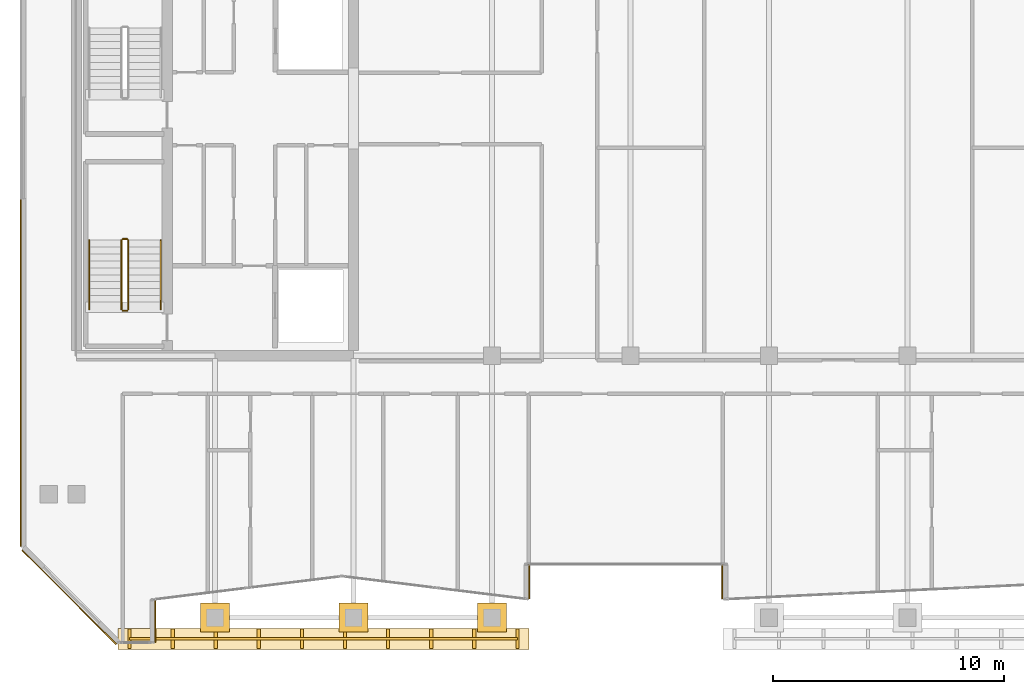
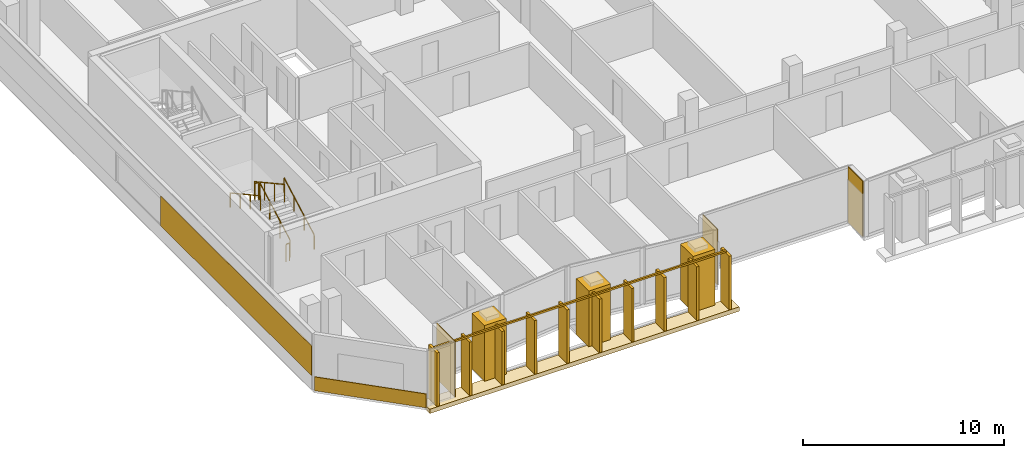
# One storey, part 28 of 32: 9 coverings, 7 railings.
"""IFC4 building model written with IfcOpenShell, lengths in metres."""

from ifc_helpers import new_model, si_unit, direction, frame, origin, origin_2d, place, context, subcontext, project, spatial, rectangle, extrude, material, layer, layer_set, type_object, element, save


model = new_model("IFC4")

# Units and contexts
model_context = context("Model", 3, precision=1e-05, world=origin(), true_north=direction((0.0, 1.0)))
body_context = subcontext(model_context, "Body", "Model", "MODEL_VIEW")
ifc_project = project(units=[si_unit("LENGTHUNIT", "METRE"), si_unit("AREAUNIT", "SQUARE_METRE"), si_unit("VOLUMEUNIT", "CUBIC_METRE"), si_unit("PLANEANGLEUNIT", "RADIAN"), si_unit("MASSUNIT", "GRAM", prefix="KILO")], contexts=[model_context])

# Site, building, storey
site_placement = place(None, origin())
site = spatial("IfcSite", under=ifc_project, at=site_placement, CompositionType="ELEMENT")
building_placement = place(site_placement, origin())
building = spatial("IfcBuilding", under=site, at=building_placement, Name="Tanjung Sevakor Pilgrim Tower", CompositionType="ELEMENT")
storey_placement = place(building_placement, frame((0.0, 0.0, 211.860107421875)))
storey = spatial("IfcBuildingStorey", under=building, at=storey_placement, Name="L59", CompositionType="ELEMENT", Elevation=211.860107421875)

# Coverings
ifc_material_1 = material(Name="Reconstructed Limestone Cladding", Category="masonry")
ifc_layer = layer(ifc_material_1, 0.044921875)
ifc_layer_set = layer_set([ifc_layer], Name="COV-CLAD-LIMESTONE")
covering_type = type_object("IfcCoveringType", Name="COV-CLAD-LIMESTONE", PredefinedType="CLADDING", material=ifc_layer_set)
covering_1_placement = place(storey_placement, frame((27.422607421875, 13.09375, 0.019775390625), z_axis=(0.0, 0.0, 1.0), x_axis=(0.0, 1.0, 0.0)))
element("IfcCovering", 1, at=covering_1_placement, inside=storey, type_object=covering_type, Name="L59 Warm Limestone Wall Cladding EW-L59-MAIN-2", PredefinedType="CLADDING", context=body_context, shape_type="SweptSolid", body=[
    extrude(rectangle(XDim=1.827392578125, YDim=0.044921875, at=origin_2d()), origin(), (0.0, 0.0, 1.0), 3.3701171875),
])
covering_2_placement = place(storey_placement, frame((43.62255859375, 14.80712890625, 0.019775390625), z_axis=(0.0, 0.0, 1.0), x_axis=(0.0, 1.0, 0.0)))
element("IfcCovering", 2, at=covering_2_placement, inside=storey, type_object=covering_type, Name="L59 Warm Limestone Wall Cladding EW-L59-MAIN-7", PredefinedType="CLADDING", context=body_context, shape_type="SweptSolid", body=[
    extrude(rectangle(XDim=1.465576171875, YDim=0.044921875, at=origin_2d()), origin(), (0.0, 0.0, 1.0), 3.3701171875),
])
covering_3_placement = place(storey_placement, frame((51.9775390625, 14.802734375, 0.019775390625), z_axis=(0.0, 0.0, 1.0), x_axis=(0.0, -1.0, 0.0)))
element("IfcCovering", 3, at=covering_3_placement, inside=storey, type_object=covering_type, Name="L59 Warm Limestone Wall Cladding EW-L59-MAIN-9", PredefinedType="CLADDING", context=body_context, shape_type="SweptSolid", body=[
    extrude(rectangle(XDim=1.474609375, YDim=0.044921875, at=origin_2d()), origin(), (0.0, 0.0, 1.0), 3.3701171875),
])
covering_4_placement = place(storey_placement, frame((21.577392578125, 23.8427734375, 0.849853515625), z_axis=(0.0, 0.0, 1.0), x_axis=(0.0, -1.0, 0.0)))
element("IfcCovering", 4, at=covering_4_placement, inside=storey, type_object=covering_type, Name="L59 Warm Limestone Pier Panel EW-L59-MAIN-35-2", PredefinedType="CLADDING", context=body_context, shape_type="SweptSolid", body=[
    extrude(rectangle(XDim=15.014404296875, YDim=0.044921875, at=origin_2d()), origin(), (0.0, 0.0, 1.0), 1.81005859375),
])
covering_5_placement = place(storey_placement, frame((23.68408203125, 14.134033203125, 0.009765625), z_axis=(0.0, 0.0, 1.0), x_axis=(0.707106781187, -0.707106781187, 0.0)))
element("IfcCovering", 5, at=covering_5_placement, inside=storey, type_object=covering_type, Name="L59 Warm Limestone Sill Spandrel EW-CHM-L59-MAIN-35-1", PredefinedType="CLADDING", context=body_context, shape_type="SweptSolid", body=[
    extrude(rectangle(XDim=5.7685546875, YDim=0.044921875, at=origin_2d()), origin(), (0.0, 0.0, 1.0), 0.840087890625),
])
for number, where, z_axis, x_axis, name in (
    (6, (30.0, 13.25, 0.009765625), (0.0, 0.0, 1.0), (1.0, 0.0, 0.0), "L59 Colonnade Pier Limestone Casing 21"),
    (7, (36.0, 13.25, 0.009765625), (0.0, 0.0, 1.0), (1.0, 0.0, 0.0), "L59 Colonnade Pier Limestone Casing 23"),
    (8, (42.0, 13.25, 0.009765625), (0.0, 0.0, 1.0), (1.0, 0.0, 0.0), "L59 Colonnade Pier Limestone Casing 25"),
):
    element("IfcCovering", number, at=place(storey_placement, frame(where, z_axis=z_axis, x_axis=x_axis)), inside=storey, type_object=covering_type, Name=name, PredefinedType="CLADDING", context=body_context, shape_type="SweptSolid", body=[
        extrude(rectangle(XDim=1.260009765625, YDim=1.260009765625, at=origin_2d()), origin(), (0.0, 0.0, 1.0), 3.389892578125),
    ])
covering_6_placement = place(storey_placement, frame((34.699951171875, 12.330078125, -0.25), z_axis=(0.0, 0.0, 1.0), x_axis=(1.0, 0.0, 0.0)))
element("IfcCovering", 9, at=covering_6_placement, inside=storey, type_object=covering_type, Name="L59 S-Curve Outer Fin Tie Sill SW", PredefinedType="CLADDING", context=body_context, shape_type="SweptSolid", body=[
    extrude(rectangle(XDim=17.800048828125, YDim=0.89990234375, at=origin_2d()), origin(), (0.0, 0.0, 1.0), 0.260009765625),
])

# Railings
ifc_material_2 = material(Name="Anodised Bronze Aluminium 6063-T6", Category="aluminium")
railing_type_1 = type_object("IfcRailingType", Name="RL-FIN-SCREEN", PredefinedType="BALUSTRADE", material=ifc_material_2)
railing_1_placement = place(storey_placement, frame((26.300048828125, 12.330078125, 0.0)))
element("IfcRailing", 10, at=railing_1_placement, inside=storey, type_object=railing_type_1, Name="L59 Vertical Bronze-Gold Solar Fin Screen FN-SCGAP-L59-SW-1", PredefinedType="BALUSTRADE", context=body_context, shape_type="SweptSolid", body=[
    extrude(rectangle(XDim=0.105, YDim=0.105), frame((0.0, 0.0, 3.317626953125), z_axis=(1.0, 0.0, 0.0), x_axis=(0.0, 1.0, 0.0)), (0.0, 0.0, 1.0), 16.800048828125),
    extrude(rectangle(XDim=0.14, YDim=0.85), origin(), (0.0, 0.0, 1.0), 3.26513671875),
    extrude(rectangle(XDim=0.14, YDim=0.85), frame((1.86669921875, 0.0, 0.0)), (0.0, 0.0, 1.0), 3.26513671875),
    extrude(rectangle(XDim=0.14, YDim=0.85), frame((3.7333984375, 0.0, 0.0)), (0.0, 0.0, 1.0), 3.26513671875),
    extrude(rectangle(XDim=0.14, YDim=0.85), frame((5.60009765625, 0.0, 0.0)), (0.0, 0.0, 1.0), 3.26513671875),
    extrude(rectangle(XDim=0.14, YDim=0.85), frame((7.466796875, 0.0, 0.0)), (0.0, 0.0, 1.0), 3.26513671875),
    extrude(rectangle(XDim=0.14, YDim=0.85), frame((9.333251953125, 0.0, 0.0)), (0.0, 0.0, 1.0), 3.26513671875),
    extrude(rectangle(XDim=0.14, YDim=0.85), frame((11.199951171875, 0.0, 0.0)), (0.0, 0.0, 1.0), 3.26513671875),
    extrude(rectangle(XDim=0.14, YDim=0.85), frame((13.066650390625, 0.0, 0.0)), (0.0, 0.0, 1.0), 3.26513671875),
    extrude(rectangle(XDim=0.14, YDim=0.85), frame((14.933349609375, 0.0, 0.0)), (0.0, 0.0, 1.0), 3.26513671875),
    extrude(rectangle(XDim=0.14, YDim=0.85), frame((16.800048828125, 0.0, 0.0)), (0.0, 0.0, 1.0), 3.26513671875),
])
ifc_material_3 = material(Name="Steel S355J2", Category="steel")
railing_type_2 = type_object("IfcRailingType", Name="RL-STAIR-GUARD", PredefinedType="GUARDRAIL", material=ifc_material_3)
railing_2_placement = place(storey_placement, frame((26.25, 26.60009765625, 0.164794921875)))
element("IfcRailing", 11, at=railing_2_placement, inside=storey, type_object=railing_type_2, Name="L59 TS-W1 stair guard 1", PredefinedType="GUARDRAIL", context=body_context, shape_type="SweptSolid", body=[
    extrude(rectangle(XDim=0.0479, YDim=0.0479), frame((0.0, 0.0, 1.076171875), z_axis=(0.0, 0.876197842262, 0.481951596342), x_axis=(-1.0, 0.0, 0.0)), (0.0, 0.0, 1.0), 3.423828125),
    extrude(rectangle(XDim=0.042, YDim=0.042), origin(), (0.0, 0.0, 1.0), 1.052001953125),
    extrude(rectangle(XDim=0.042, YDim=0.042), frame((0.0, 1.0, 0.550048828125)), (0.0, 0.0, 1.0), 1.052001953125),
    extrude(rectangle(XDim=0.042, YDim=0.042), frame((0.0, 2.0, 1.10009765625)), (0.0, 0.0, 1.0), 1.052001953125),
    extrude(rectangle(XDim=0.042, YDim=0.042), frame((0.0, 3.0, 1.650146484375)), (0.0, 0.0, 1.0), 1.052001953125),
])
railing_3_placement = place(storey_placement, frame((26.199951171875, 29.64990234375, 1.81494140625)))
element("IfcRailing", 12, at=railing_3_placement, inside=storey, type_object=railing_type_2, Name="L59 TS-W1 stair guard 2", PredefinedType="GUARDRAIL", context=body_context, shape_type="SweptSolid", body=[
    extrude(rectangle(XDim=0.0479, YDim=0.0479), frame((0.0, 0.0, 1.076171875), z_axis=(-1.0, 0.0, 0.0), x_axis=(0.0, -1.0, 0.0)), (0.0, 0.0, 1.0), 0.199951171875),
    extrude(rectangle(XDim=0.042, YDim=0.042), origin(), (0.0, 0.0, 1.0), 1.052001953125),
    extrude(rectangle(XDim=0.042, YDim=0.042), frame((-0.199951171875, 0.0, 0.0)), (0.0, 0.0, 1.0), 1.052001953125),
])
railing_4_placement = place(storey_placement, frame((25.949951171875, 29.60009765625, 1.97998046875)))
element("IfcRailing", 13, at=railing_4_placement, inside=storey, type_object=railing_type_2, Name="L59 TS-W1 stair guard 3", PredefinedType="GUARDRAIL", context=body_context, shape_type="SweptSolid", body=[
    extrude(rectangle(XDim=0.0479, YDim=0.0479), frame((0.0, 0.0, 1.076171875), z_axis=(0.0, -0.876227952683, 0.48189685093), x_axis=(1.0, 0.0, 0.0)), (0.0, 0.0, 1.0), 3.423828125),
    extrude(rectangle(XDim=0.042, YDim=0.042), origin(), (0.0, 0.0, 1.0), 1.052001953125),
    extrude(rectangle(XDim=0.042, YDim=0.042), frame((0.0, -1.0, 0.550048828125)), (0.0, 0.0, 1.0), 1.052001953125),
    extrude(rectangle(XDim=0.042, YDim=0.042), frame((0.0, -2.0, 1.099853515625)), (0.0, 0.0, 1.0), 1.052001953125),
    extrude(rectangle(XDim=0.042, YDim=0.042), frame((0.0, -3.0, 1.64990234375)), (0.0, 0.0, 1.0), 1.052001953125),
])
railing_5_placement = place(storey_placement, frame((26.199951171875, 26.550048828125, 0.0)))
element("IfcRailing", 14, at=railing_5_placement, inside=storey, type_object=railing_type_2, Name="L59 TS-W1 stair guard 4", PredefinedType="GUARDRAIL", context=body_context, shape_type="SweptSolid", body=[
    extrude(rectangle(XDim=0.0479, YDim=0.0479), frame((0.0, 0.0, 1.076171875), z_axis=(-1.0, 0.0, 0.0), x_axis=(0.0, -1.0, 0.0)), (0.0, 0.0, 1.0), 0.199951171875),
    extrude(rectangle(XDim=0.042, YDim=0.042), origin(), (0.0, 0.0, 1.0), 1.052001953125),
    extrude(rectangle(XDim=0.042, YDim=0.042), frame((-0.199951171875, 0.0, 0.0)), (0.0, 0.0, 1.0), 1.052001953125),
])
ifc_material_4 = material(Name="Steel S355J2", Category="steel")
railing_type_3 = type_object("IfcRailingType", Name="RL-STAIR-HAND", PredefinedType="HANDRAIL", material=ifc_material_4)
railing_6_placement = place(storey_placement, frame((27.64990234375, 26.60009765625, 0.164794921875)))
element("IfcRailing", 15, at=railing_6_placement, inside=storey, type_object=railing_type_3, Name="L59 TS-W1 stair handrail 1", PredefinedType="HANDRAIL", context=body_context, shape_type="SweptSolid", body=[
    extrude(rectangle(XDim=0.0479, YDim=0.0479), frame((0.0, 0.0, 0.8759765625), z_axis=(0.0, 0.876197842262, 0.481951596342), x_axis=(-1.0, 0.0, 0.0)), (0.0, 0.0, 1.0), 3.423828125),
    extrude(rectangle(XDim=0.042, YDim=0.042), origin(), (0.0, 0.0, 1.0), 0.851806640625),
    extrude(rectangle(XDim=0.042, YDim=0.042), frame((0.0, 1.0, 0.550048828125)), (0.0, 0.0, 1.0), 0.851806640625),
    extrude(rectangle(XDim=0.042, YDim=0.042), frame((0.0, 2.0, 1.10009765625)), (0.0, 0.0, 1.0), 0.851806640625),
    extrude(rectangle(XDim=0.042, YDim=0.042), frame((0.0, 3.0, 1.650146484375)), (0.0, 0.0, 1.0), 0.851806640625),
])
railing_7_placement = place(storey_placement, frame((24.550048828125, 29.60009765625, 1.97998046875)))
element("IfcRailing", 16, at=railing_7_placement, inside=storey, type_object=railing_type_3, Name="L59 TS-W1 stair handrail 2", PredefinedType="HANDRAIL", context=body_context, shape_type="SweptSolid", body=[
    extrude(rectangle(XDim=0.0479, YDim=0.0479), frame((0.0, 0.0, 0.8759765625), z_axis=(0.0, -0.876227952683, 0.48189685093), x_axis=(1.0, 0.0, 0.0)), (0.0, 0.0, 1.0), 3.423828125),
    extrude(rectangle(XDim=0.042, YDim=0.042), origin(), (0.0, 0.0, 1.0), 0.851806640625),
    extrude(rectangle(XDim=0.042, YDim=0.042), frame((0.0, -1.0, 0.550048828125)), (0.0, 0.0, 1.0), 0.851806640625),
    extrude(rectangle(XDim=0.042, YDim=0.042), frame((0.0, -2.0, 1.099853515625)), (0.0, 0.0, 1.0), 0.851806640625),
    extrude(rectangle(XDim=0.042, YDim=0.042), frame((0.0, -3.0, 1.64990234375)), (0.0, 0.0, 1.0), 0.851806640625),
])

save(model, "model.ifc")
